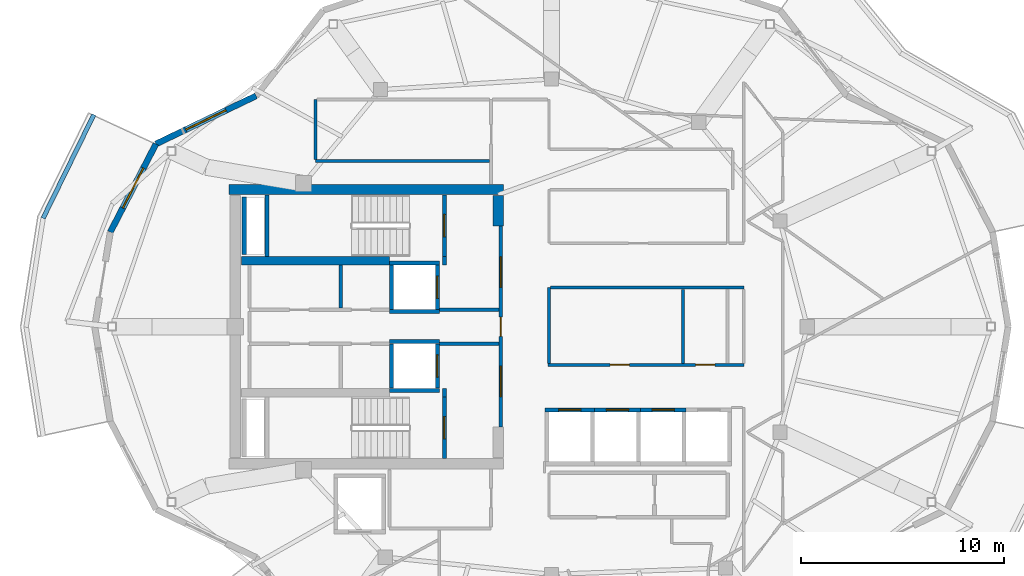
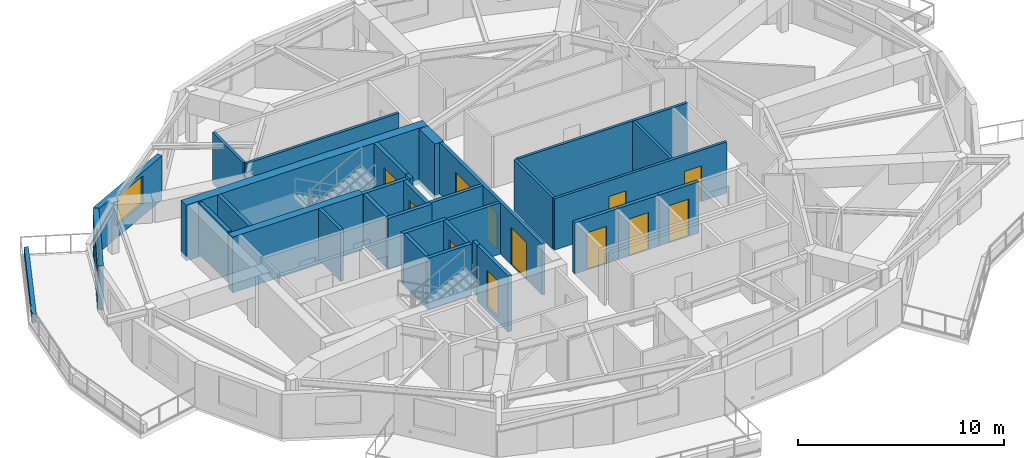
# One storey, part 5 of 11: 33 walls, 12 doors, 2 windows, 14 openings.
"""IFC4 building model written with IfcOpenShell, lengths in metres."""

from ifc_helpers import new_model, si_unit, direction, frame, frame_2d, origin, place, context, subcontext, project, spatial, rectangle, extrude, material, layer, layer_set, type_object, element, fill, save


model = new_model("IFC4")

# Units and contexts
model_context = context("Model", 3, precision=1e-05, world=origin(), true_north=direction((0.0, 1.0)))
body_context = subcontext(model_context, "Body", "Model", "MODEL_VIEW")
ifc_project = project(units=[si_unit("LENGTHUNIT", "METRE"), si_unit("AREAUNIT", "SQUARE_METRE"), si_unit("VOLUMEUNIT", "CUBIC_METRE"), si_unit("PLANEANGLEUNIT", "RADIAN"), si_unit("MASSUNIT", "GRAM", prefix="KILO")], contexts=[model_context])

# Site, building, storey
site_placement = place(None, origin())
site = spatial("IfcSite", under=ifc_project, at=site_placement, CompositionType="ELEMENT")
building_placement = place(site_placement, origin())
building = spatial("IfcBuilding", under=site, at=building_placement, Name="Kolvaren Gate Tower and Convention Centre", CompositionType="ELEMENT")
storey_placement = place(building_placement, frame((0.0, 0.0, 255.800048828125)))
storey = spatial("IfcBuildingStorey", under=building, at=storey_placement, Name="L69", CompositionType="ELEMENT", Elevation=255.800048828125)

# Walls
ifc_material_1 = material(Name="Autoclaved Aerated Masonry Blockwork Class 4 (4.0 MPa)", Category="masonry")
ifc_layer_1 = layer(ifc_material_1, 0.179931640625)
ifc_layer_set_1 = layer_set([ifc_layer_1], Name="Autoclaved Aerated Masonry Blockwork Class 4 (4.0 MPa)")
wall_type_1 = type_object("IfcWallType", Name="ARCH-WL-COMP-180", PredefinedType="SOLIDWALL", material=ifc_layer_set_1)
for number, where, z_axis, x_axis, name in (
    (1, (24.85009765625, 23.5400390625, 0.0), (0.0, 0.0, 1.0), (0.0, 1.0, 0.0), "Interior Partition WL-L69-INT-001"),
    (2, (24.85009765625, 30.0400390625, 0.0), (0.0, 0.0, 1.0), (0.0, 1.0, 0.0), "Interior Partition WL-L69-INT-002"),
):
    element("IfcWall", number, at=place(storey_placement, frame(where, z_axis=z_axis, x_axis=x_axis)), inside=storey, type_object=wall_type_1, Name=name, PredefinedType="SOLIDWALL", context=body_context, shape_type="SweptSolid", body=[
        extrude(rectangle(XDim=0.419921875, YDim=0.179931640625, at=frame_2d((0.2099609375, 0.0))), origin(), (0.0, 0.0, 1.0), 3.030029296875),
    ])

# Wall, openings, doors
wall_1_placement = place(storey_placement, frame((27.6201171875, 22.050048828125, 0.0), z_axis=(0.0, 0.0, 1.0), x_axis=(0.0, 1.0, 0.0)))
wall_1 = element("IfcWall", 3, at=wall_1_placement, inside=storey, type_object=wall_type_1, Name="Interior Partition WL-L69-INT-003", PredefinedType="SOLIDWALL", context=body_context, shape_type="SweptSolid", body=[
    extrude(rectangle(XDim=9.89990234375, YDim=0.179931640625, at=frame_2d((4.949951171875, 0.0))), origin(), (0.0, 0.0, 1.0), 3.030029296875),
])
opening_1_placement = place(wall_1_placement, frame((4.47509765625, 0.0, 0.0)))
opening_1 = element("IfcOpeningElement", 4, at=opening_1_placement, cuts=wall_1, Name="Opening DR-01", PredefinedType="OPENING", context=body_context, shape_type="SweptSolid", body=[
    extrude(rectangle(XDim=0.949951171875, YDim=2.10009765625, at=frame_2d((0.47509765625, 1.050048828125))), frame((0.0, 0.099853515625, 0.0), z_axis=(0.0, -1.0, 0.0), x_axis=(1.0, 0.0, 0.0)), (0.0, 0.0, 1.0), 0.199951171875),
])
opening_2_placement = place(wall_1_placement, frame((6.889892578125, 0.0, 0.0)))
opening_2 = element("IfcOpeningElement", 5, at=opening_2_placement, cuts=wall_1, Name="Opening DL-01", PredefinedType="OPENING", context=body_context, shape_type="SweptSolid", body=[
    extrude(rectangle(XDim=1.5, YDim=2.199951171875, at=frame_2d((0.75, 1.10009765625))), frame((0.0, 0.099853515625, 0.0), z_axis=(0.0, -1.0, 0.0), x_axis=(1.0, 0.0, 0.0)), (0.0, 0.0, 1.0), 0.199951171875),
])
opening_3_placement = place(wall_1_placement, frame((1.510009765625, 0.0, 0.0)))
opening_3 = element("IfcOpeningElement", 6, at=opening_3_placement, cuts=wall_1, Name="Opening DL-01", PredefinedType="OPENING", context=body_context, shape_type="SweptSolid", body=[
    extrude(rectangle(XDim=1.5, YDim=2.199951171875, at=frame_2d((0.75, 1.10009765625))), frame((0.0, 0.099853515625, 0.0), z_axis=(0.0, -1.0, 0.0), x_axis=(1.0, 0.0, 0.0)), (0.0, 0.0, 1.0), 0.199951171875),
])
ifc_material_2 = material(Name="Painted Architectural Steelwork ASTM A500 Grade C 345 MPa", Category="steel")
door_type_1 = type_object("IfcDoorType", Name="ARCH-DR-LOBBY-1500", OperationType="DOUBLE_DOOR_SINGLE_SWING", PredefinedType="DOOR", material=ifc_material_2)
door_1_placement = place(opening_2_placement, origin())
door_1 = element("IfcDoor", 7, at=door_1_placement, inside=storey, type_object=door_type_1, Name="North Firefighting Stair and Lift Lobby Door", OperationType="DOUBLE_DOOR_SINGLE_SWING", OverallHeight=2.199951171875, OverallWidth=1.5, PredefinedType="DOOR", context=body_context, shape_type="SweptSolid", body=[
    extrude(rectangle(XDim=1.5, YDim=2.199951171875, at=frame_2d((0.75, 1.10009765625))), frame((0.0, 0.02490234375, 0.0), z_axis=(0.0, -1.0, 0.0), x_axis=(1.0, 0.0, 0.0)), (0.0, 0.0, 1.0), 0.050048828125),
])
fill(opening_2, door_1)
door_2_placement = place(opening_3_placement, origin())
door_2 = element("IfcDoor", 8, at=door_2_placement, inside=storey, type_object=door_type_1, Name="South Firefighting Stair and Lift Lobby Door", OperationType="DOUBLE_DOOR_SINGLE_SWING", OverallHeight=2.199951171875, OverallWidth=1.5, PredefinedType="DOOR", context=body_context, shape_type="SweptSolid", body=[
    extrude(rectangle(XDim=1.5, YDim=2.199951171875, at=frame_2d((0.75, 1.10009765625))), frame((0.0, 0.02490234375, 0.0), z_axis=(0.0, -1.0, 0.0), x_axis=(1.0, 0.0, 0.0)), (0.0, 0.0, 1.0), 0.050048828125),
])
fill(opening_3, door_2)
door_type_2 = type_object("IfcDoorType", Name="ARCH-DR-RISER-950", OperationType="SINGLE_SWING_RIGHT", PredefinedType="DOOR", material=ifc_material_2)
door_3_placement = place(opening_1_placement, origin())
door_3 = element("IfcDoor", 9, at=door_3_placement, inside=storey, type_object=door_type_2, Name="Central MEP Service Corridor Door", OperationType="SINGLE_SWING_LEFT", OverallHeight=2.10009765625, OverallWidth=0.949951171875, PredefinedType="DOOR", context=body_context, shape_type="SweptSolid", body=[
    extrude(rectangle(XDim=0.949951171875, YDim=2.10009765625, at=frame_2d((0.47509765625, 1.050048828125))), frame((0.0, 0.02490234375, 0.0), z_axis=(0.0, -1.0, 0.0), x_axis=(1.0, 0.0, 0.0)), (0.0, 0.0, 1.0), 0.050048828125),
])
fill(opening_1, door_3)

# Walls
for number, where, z_axis, x_axis, name in (
    (10, (24.60009765625, 27.840087890625, 0.0), (0.0, 0.0, 1.0), (1.0, 0.0, 0.0), "Interior Partition WL-L69-INT-004 (2)"),
    (11, (24.60009765625, 26.159912109375, 0.0), (0.0, 0.0, 1.0), (1.0, 0.0, 0.0), "Interior Partition WL-L69-INT-005 (2)"),
):
    element("IfcWall", number, at=place(storey_placement, frame(where, z_axis=z_axis, x_axis=x_axis)), inside=storey, type_object=wall_type_1, Name=name, PredefinedType="SOLIDWALL", context=body_context, shape_type="SweptSolid", body=[
        extrude(rectangle(XDim=2.927978515625, YDim=0.179931640625, at=frame_2d((1.4638671875, 0.0))), origin(), (0.0, 0.0, 1.0), 3.030029296875),
    ])
wall_2_placement = place(storey_placement, frame((19.75, 27.931884765625, 0.0), z_axis=(0.0, 0.0, 1.0), x_axis=(0.0, 1.0, 0.0)))
element("IfcWall", 12, at=wall_2_placement, inside=storey, type_object=wall_type_1, Name="Interior Partition WL-L69-INT-008", PredefinedType="SOLIDWALL", context=body_context, shape_type="SweptSolid", body=[
    extrude(rectangle(XDim=2.106201171875, YDim=0.179931640625, at=frame_2d((1.05322265625, 0.0))), origin(), (0.0, 0.0, 1.0), 3.030029296875),
])
ifc_material_3 = material(Name="Piedmont Cream Honed Limestone Cladding", Category="masonry")
ifc_layer_2 = layer(ifc_material_3, 0.219970703125)
ifc_layer_set_2 = layer_set([ifc_layer_2], Name="Piedmont Cream Honed Limestone Cladding")
wall_type_2 = type_object("IfcWallType", Name="ARCH-WL-PLANTER-220", PredefinedType="PARAPET", material=ifc_layer_set_2)
wall_3_placement = place(storey_placement, frame((5.078857421875, 32.337646484375, 0.0), z_axis=(0.0, 0.0, 1.0), x_axis=(0.440058847499, 0.897968936399, 0.0)))
element("IfcWall", 13, at=wall_3_placement, inside=storey, type_object=wall_type_2, Name="Vertical-Forest Balcony Stone Planter Kerb PK-L69-2.1", PredefinedType="PARAPET", context=body_context, shape_type="SweptSolid", body=[
    extrude(rectangle(XDim=5.689453125, YDim=0.219970703125, at=frame_2d((2.8447265625, 0.0))), origin(), (0.0, 0.0, 1.0), 0.52001953125),
])
ifc_layer_3 = layer(ifc_material_1, 0.199951171875)
ifc_layer_set_3 = layer_set([ifc_layer_3], Name="Autoclaved Aerated Masonry Blockwork Class 4 (4.0 MPa)")
wall_type_3 = type_object("IfcWallType", Name="ARCH-WL-SHAFT-200", PredefinedType="SOLIDWALL", material=ifc_layer_set_3)
for number, where, z_axis, x_axis, name in (
    (14, (22.14990234375, 30.139892578125, 0.0), (0.0, 0.0, 1.0), (1.0, 0.0, 0.0), "Elevator FF-01 L69 Fire Shaft Wall N"),
    (15, (22.14990234375, 27.739990234375, 0.0), (0.0, 0.0, 1.0), (1.0, 0.0, 0.0), "Elevator FF-01 L69 Fire Shaft Wall S"),
):
    element("IfcWall", number, at=place(storey_placement, frame(where, z_axis=z_axis, x_axis=x_axis)), inside=storey, type_object=wall_type_3, Name=name, PredefinedType="SOLIDWALL", context=body_context, shape_type="SweptSolid", body=[
        extrude(rectangle(XDim=2.4501953125, YDim=0.199951171875, at=frame_2d((1.22509765625, 0.0))), origin(), (0.0, 0.0, 1.0), 3.030029296875),
    ])
wall_4_placement = place(storey_placement, frame((22.25, 27.85009765625, 0.0), z_axis=(0.0, 0.0, 1.0), x_axis=(0.0, 1.0, 0.0)))
element("IfcWall", 16, at=wall_4_placement, inside=storey, type_object=wall_type_3, Name="Elevator FF-01 L69 Fire Shaft Wall W", PredefinedType="SOLIDWALL", context=body_context, shape_type="SweptSolid", body=[
    extrude(rectangle(XDim=2.179931640625, YDim=0.199951171875, at=frame_2d((1.08984375, 0.0))), origin(), (0.0, 0.0, 1.0), 3.030029296875),
])

# Wall, opening, door
wall_5_placement = place(storey_placement, frame((24.5, 27.85009765625, 0.0), z_axis=(0.0, 0.0, 1.0), x_axis=(0.0, 1.0, 0.0)))
wall_5 = element("IfcWall", 17, at=wall_5_placement, inside=storey, type_object=wall_type_3, Name="Elevator FF-01 L69 Fire Shaft Wall E", PredefinedType="SOLIDWALL", context=body_context, shape_type="SweptSolid", body=[
    extrude(rectangle(XDim=2.179931640625, YDim=0.199951171875, at=frame_2d((1.08984375, 0.0))), origin(), (0.0, 0.0, 1.0), 3.030029296875),
])
opening_4_placement = place(wall_5_placement, frame((0.5400390625, 0.0, 0.0)))
opening_4 = element("IfcOpeningElement", 18, at=opening_4_placement, cuts=wall_5, Name="Opening LD", PredefinedType="OPENING", context=body_context, shape_type="SweptSolid", body=[
    extrude(rectangle(XDim=1.10009765625, YDim=2.199951171875, at=frame_2d((0.550048828125, 1.10009765625))), frame((0.0, 0.10986328125, 0.0), z_axis=(0.0, -1.0, 0.0), x_axis=(1.0, 0.0, 0.0)), (0.0, 0.0, 1.0), 0.219970703125),
])
ifc_material_4 = material(Name="Brushed Stainless Steel Grade 316L", Category="steel")
door_type_3 = type_object("IfcDoorType", Name="ARCH-DR-LIFT-1100", OperationType="SLIDING_TO_LEFT", PredefinedType="DOOR", material=ifc_material_4)
door_4_placement = place(opening_4_placement, origin())
door_4 = element("IfcDoor", 19, at=door_4_placement, inside=storey, type_object=door_type_3, Name="Elevator FF-01 L69 Sliding Landing Door", OperationType="SLIDING_TO_LEFT", OverallHeight=2.199951171875, OverallWidth=1.10009765625, PredefinedType="DOOR", context=body_context, shape_type="SweptSolid", body=[
    extrude(rectangle(XDim=1.10009765625, YDim=2.199951171875, at=frame_2d((0.550048828125, 1.10009765625))), frame((0.0, 0.02490234375, 0.0), z_axis=(0.0, -1.0, 0.0), x_axis=(1.0, 0.0, 0.0)), (0.0, 0.0, 1.0), 0.050048828125),
])
fill(opening_4, door_4)

# Walls
for number, where, z_axis, x_axis, name in (
    (20, (22.14990234375, 26.260009765625, 0.0), (0.0, 0.0, 1.0), (1.0, 0.0, 0.0), "Elevator FF-02 L69 Fire Shaft Wall N"),
    (21, (22.14990234375, 23.860107421875, 0.0), (0.0, 0.0, 1.0), (1.0, 0.0, 0.0), "Elevator FF-02 L69 Fire Shaft Wall S"),
):
    element("IfcWall", number, at=place(storey_placement, frame(where, z_axis=z_axis, x_axis=x_axis)), inside=storey, type_object=wall_type_3, Name=name, PredefinedType="SOLIDWALL", context=body_context, shape_type="SweptSolid", body=[
        extrude(rectangle(XDim=2.4501953125, YDim=0.199951171875, at=frame_2d((1.22509765625, 0.0))), origin(), (0.0, 0.0, 1.0), 3.030029296875),
    ])
wall_6_placement = place(storey_placement, frame((22.25, 23.969970703125, 0.0), z_axis=(0.0, 0.0, 1.0), x_axis=(0.0, 1.0, 0.0)))
element("IfcWall", 22, at=wall_6_placement, inside=storey, type_object=wall_type_3, Name="Elevator FF-02 L69 Fire Shaft Wall W", PredefinedType="SOLIDWALL", context=body_context, shape_type="SweptSolid", body=[
    extrude(rectangle(XDim=2.179931640625, YDim=0.199951171875, at=frame_2d((1.08984375, 0.0))), origin(), (0.0, 0.0, 1.0), 3.030029296875),
])

# Wall, opening, door
wall_7_placement = place(storey_placement, frame((24.5, 23.969970703125, 0.0), z_axis=(0.0, 0.0, 1.0), x_axis=(0.0, 1.0, 0.0)))
wall_7 = element("IfcWall", 23, at=wall_7_placement, inside=storey, type_object=wall_type_3, Name="Elevator FF-02 L69 Fire Shaft Wall E", PredefinedType="SOLIDWALL", context=body_context, shape_type="SweptSolid", body=[
    extrude(rectangle(XDim=2.179931640625, YDim=0.199951171875, at=frame_2d((1.08984375, 0.0))), origin(), (0.0, 0.0, 1.0), 3.030029296875),
])
opening_5_placement = place(wall_7_placement, frame((0.5400390625, 0.0, 0.0)))
opening_5 = element("IfcOpeningElement", 24, at=opening_5_placement, cuts=wall_7, Name="Opening LD", PredefinedType="OPENING", context=body_context, shape_type="SweptSolid", body=[
    extrude(rectangle(XDim=1.10009765625, YDim=2.199951171875, at=frame_2d((0.550048828125, 1.10009765625))), frame((0.0, 0.10986328125, 0.0), z_axis=(0.0, -1.0, 0.0), x_axis=(1.0, 0.0, 0.0)), (0.0, 0.0, 1.0), 0.219970703125),
])
door_5_placement = place(opening_5_placement, origin())
door_5 = element("IfcDoor", 25, at=door_5_placement, inside=storey, type_object=door_type_3, Name="Elevator FF-02 L69 Sliding Landing Door", OperationType="SLIDING_TO_LEFT", OverallHeight=2.199951171875, OverallWidth=1.10009765625, PredefinedType="DOOR", context=body_context, shape_type="SweptSolid", body=[
    extrude(rectangle(XDim=1.10009765625, YDim=2.199951171875, at=frame_2d((0.550048828125, 1.10009765625))), frame((0.0, 0.02490234375, 0.0), z_axis=(0.0, -1.0, 0.0), x_axis=(1.0, 0.0, 0.0)), (0.0, 0.0, 1.0), 0.050048828125),
])
fill(opening_5, door_5)

wall_8_placement = place(storey_placement, frame((29.800048828125, 22.89990234375, 0.0), z_axis=(0.0, 0.0, 1.0), x_axis=(1.0, 0.0, 0.0)))
wall_8 = element("IfcWall", 26, at=wall_8_placement, inside=storey, type_object=wall_type_3, Name="Elevator PL-09 L69 Fire Shaft Wall N", PredefinedType="SOLIDWALL", context=body_context, shape_type="SweptSolid", body=[
    extrude(rectangle(XDim=2.449951171875, YDim=0.199951171875, at=frame_2d((1.22509765625, 0.0))), origin(), (0.0, 0.0, 1.0), 3.030029296875),
])
opening_6_placement = place(wall_8_placement, frame((0.675048828125, 0.0, 0.0)))
opening_6 = element("IfcOpeningElement", 27, at=opening_6_placement, cuts=wall_8, Name="Opening LD", PredefinedType="OPENING", context=body_context, shape_type="SweptSolid", body=[
    extrude(rectangle(XDim=1.10009765625, YDim=2.199951171875, at=frame_2d((0.550048828125, 1.10009765625))), frame((0.0, 0.10986328125, 0.0), z_axis=(0.0, -1.0, 0.0), x_axis=(1.0, 0.0, 0.0)), (0.0, 0.0, 1.0), 0.219970703125),
])
door_6_placement = place(opening_6_placement, origin())
door_6 = element("IfcDoor", 28, at=door_6_placement, inside=storey, type_object=door_type_3, Name="Elevator PL-09 L69 Sliding Landing Door", OperationType="SLIDING_TO_LEFT", OverallHeight=2.199951171875, OverallWidth=1.10009765625, PredefinedType="DOOR", context=body_context, shape_type="SweptSolid", body=[
    extrude(rectangle(XDim=1.10009765625, YDim=2.199951171875, at=frame_2d((0.550048828125, 1.10009765625))), frame((0.0, 0.02490234375, 0.0), z_axis=(0.0, -1.0, 0.0), x_axis=(1.0, 0.0, 0.0)), (0.0, 0.0, 1.0), 0.050048828125),
])
fill(opening_6, door_6)

wall_9_placement = place(storey_placement, frame((32.25, 22.89990234375, 0.0), z_axis=(0.0, 0.0, 1.0), x_axis=(1.0, 0.0, 0.0)))
wall_9 = element("IfcWall", 29, at=wall_9_placement, inside=storey, type_object=wall_type_3, Name="Elevator PL-10 L69 Fire Shaft Wall N", PredefinedType="SOLIDWALL", context=body_context, shape_type="SweptSolid", body=[
    extrude(rectangle(XDim=2.25, YDim=0.199951171875, at=frame_2d((1.125, 0.0))), origin(), (0.0, 0.0, 1.0), 3.030029296875),
])
opening_7_placement = place(wall_9_placement, frame((0.574951171875, 0.0, 0.0)))
opening_7 = element("IfcOpeningElement", 30, at=opening_7_placement, cuts=wall_9, Name="Opening LD", PredefinedType="OPENING", context=body_context, shape_type="SweptSolid", body=[
    extrude(rectangle(XDim=1.10009765625, YDim=2.199951171875, at=frame_2d((0.550048828125, 1.10009765625))), frame((0.0, 0.10986328125, 0.0), z_axis=(0.0, -1.0, 0.0), x_axis=(1.0, 0.0, 0.0)), (0.0, 0.0, 1.0), 0.219970703125),
])
door_7_placement = place(opening_7_placement, origin())
door_7 = element("IfcDoor", 31, at=door_7_placement, inside=storey, type_object=door_type_3, Name="Elevator PL-10 L69 Sliding Landing Door", OperationType="SLIDING_TO_LEFT", OverallHeight=2.199951171875, OverallWidth=1.10009765625, PredefinedType="DOOR", context=body_context, shape_type="SweptSolid", body=[
    extrude(rectangle(XDim=1.10009765625, YDim=2.199951171875, at=frame_2d((0.550048828125, 1.10009765625))), frame((0.0, 0.02490234375, 0.0), z_axis=(0.0, -1.0, 0.0), x_axis=(1.0, 0.0, 0.0)), (0.0, 0.0, 1.0), 0.050048828125),
])
fill(opening_7, door_7)

wall_10_placement = place(storey_placement, frame((34.5, 22.89990234375, 0.0), z_axis=(0.0, 0.0, 1.0), x_axis=(1.0, 0.0, 0.0)))
wall_10 = element("IfcWall", 32, at=wall_10_placement, inside=storey, type_object=wall_type_3, Name="Elevator PL-11 L69 Fire Shaft Wall N", PredefinedType="SOLIDWALL", context=body_context, shape_type="SweptSolid", body=[
    extrude(rectangle(XDim=2.25, YDim=0.199951171875, at=frame_2d((1.125, 0.0))), origin(), (0.0, 0.0, 1.0), 3.030029296875),
])
opening_8_placement = place(wall_10_placement, frame((0.574951171875, 0.0, 0.0)))
opening_8 = element("IfcOpeningElement", 33, at=opening_8_placement, cuts=wall_10, Name="Opening LD", PredefinedType="OPENING", context=body_context, shape_type="SweptSolid", body=[
    extrude(rectangle(XDim=1.10009765625, YDim=2.199951171875, at=frame_2d((0.550048828125, 1.10009765625))), frame((0.0, 0.10986328125, 0.0), z_axis=(0.0, -1.0, 0.0), x_axis=(1.0, 0.0, 0.0)), (0.0, 0.0, 1.0), 0.219970703125),
])
door_8_placement = place(opening_8_placement, origin())
door_8 = element("IfcDoor", 34, at=door_8_placement, inside=storey, type_object=door_type_3, Name="Elevator PL-11 L69 Sliding Landing Door", OperationType="SLIDING_TO_LEFT", OverallHeight=2.199951171875, OverallWidth=1.10009765625, PredefinedType="DOOR", context=body_context, shape_type="SweptSolid", body=[
    extrude(rectangle(XDim=1.10009765625, YDim=2.199951171875, at=frame_2d((0.550048828125, 1.10009765625))), frame((0.0, 0.02490234375, 0.0), z_axis=(0.0, -1.0, 0.0), x_axis=(1.0, 0.0, 0.0)), (0.0, 0.0, 1.0), 0.050048828125),
])
fill(opening_8, door_8)

# Wall
wall_11_placement = place(storey_placement, frame((14.989990234375, 30.550048828125, 0.0), z_axis=(0.0, 0.0, 1.0), x_axis=(0.0, 1.0, 0.0)))
element("IfcWall", 35, at=wall_11_placement, inside=storey, type_object=wall_type_3, Name="Vertical Shaft HVR L69 EI-120 Enclosure Wall W", PredefinedType="SOLIDWALL", context=body_context, shape_type="SweptSolid", body=[
    extrude(rectangle(XDim=2.849853515625, YDim=0.199951171875, at=frame_2d((1.4248046875, 0.0))), origin(), (0.0, 0.0, 1.0), 3.030029296875),
])

# Wall, opening, window
ifc_layer_4 = layer(ifc_material_3, 0.300048828125)
ifc_layer_set_4 = layer_set([ifc_layer_4], Name="Piedmont Cream Honed Limestone Cladding")
wall_type_4 = type_object("IfcWallType", Name="ARCH-WL-STONE-300", PredefinedType="SOLIDWALL", material=ifc_layer_set_4)
wall_12_placement = place(storey_placement, frame((10.639404296875, 36.0, 0.0), z_axis=(0.0, 0.0, 1.0), x_axis=(0.901355238351, 0.433080517106, 0.0)))
wall_12 = element("IfcWall", 36, at=wall_12_placement, inside=storey, type_object=wall_type_4, Name="Tower L69 Honed Stone Spandrel Wall EW-09", PredefinedType="SOLIDWALL", context=body_context, shape_type="SweptSolid", body=[
    extrude(rectangle(XDim=5.47314453125, YDim=0.300048828125, at=frame_2d((2.736572265625, 0.0))), origin(), (0.0, 0.0, 1.0), 2.60498046875),
])
opening_9_placement = place(wall_12_placement, frame((1.636962890625, 0.0, 0.719970703125)))
opening_9 = element("IfcOpeningElement", 37, at=opening_9_placement, cuts=wall_12, Name="Opening W-03", PredefinedType="OPENING", context=body_context, shape_type="SweptSolid", body=[
    extrude(rectangle(XDim=2.199951171875, YDim=1.64990234375, at=frame_2d((1.10009765625, 0.824951171875))), frame((0.0, 0.159912109375, 0.0), z_axis=(0.0, -1.0, 0.0), x_axis=(1.0, 0.0, 0.0)), (0.0, 0.0, 1.0), 0.320068359375),
])
ifc_material_5 = material(Name="Low-E Triple Insulated Glazing Unit 44 mm", Category="glass")
window_type = type_object("IfcWindowType", Name="ARCH-WN-RES-2200", PartitioningType="SINGLE_PANEL", PredefinedType="WINDOW", material=ifc_material_5)
window_1_placement = place(opening_9_placement, origin())
window_1 = element("IfcWindow", 38, at=window_1_placement, inside=storey, type_object=window_type, Name="Tower L69 Punched Stone Facade Window W-09", OverallHeight=1.64990234375, OverallWidth=2.199951171875, PartitioningType="SINGLE_PANEL", PredefinedType="WINDOW", context=body_context, shape_type="SweptSolid", body=[
    extrude(rectangle(XDim=2.199951171875, YDim=1.64990234375, at=frame_2d((1.10009765625, 0.824951171875))), frame((0.0, 0.030029296875, 0.0), z_axis=(0.0, -1.0, 0.0), x_axis=(1.0, 0.0, 0.0)), (0.0, 0.0, 1.0), 0.06005859375),
])
fill(opening_9, window_1)

wall_13_placement = place(storey_placement, frame((8.3916015625, 31.65869140625, 0.0), z_axis=(0.0, 0.0, 1.0), x_axis=(0.459793771602, 0.888025724625, 0.0)))
wall_13 = element("IfcWall", 39, at=wall_13_placement, inside=storey, type_object=wall_type_4, Name="Tower L69 Honed Stone Spandrel Wall EW-10", PredefinedType="SOLIDWALL", context=body_context, shape_type="SweptSolid", body=[
    extrude(rectangle(XDim=4.888671875, YDim=0.300048828125, at=frame_2d((2.4443359375, 0.0))), origin(), (0.0, 0.0, 1.0), 2.60498046875),
])
opening_10_placement = place(wall_13_placement, frame((1.343994140625, 0.0, 0.719970703125)))
opening_10 = element("IfcOpeningElement", 40, at=opening_10_placement, cuts=wall_13, Name="Opening W-03", PredefinedType="OPENING", context=body_context, shape_type="SweptSolid", body=[
    extrude(rectangle(XDim=2.199951171875, YDim=1.64990234375, at=frame_2d((1.10009765625, 0.824951171875))), frame((0.0, 0.159912109375, 0.0), z_axis=(0.0, -1.0, 0.0), x_axis=(1.0, 0.0, 0.0)), (0.0, 0.0, 1.0), 0.320068359375),
])
window_2_placement = place(opening_10_placement, origin())
window_2 = element("IfcWindow", 41, at=window_2_placement, inside=storey, type_object=window_type, Name="Tower L69 Punched Stone Facade Window W-10", OverallHeight=1.64990234375, OverallWidth=2.199951171875, PartitioningType="SINGLE_PANEL", PredefinedType="WINDOW", context=body_context, shape_type="SweptSolid", body=[
    extrude(rectangle(XDim=2.199951171875, YDim=1.64990234375, at=frame_2d((1.10009765625, 0.824951171875))), frame((0.0, 0.030029296875, 0.0), z_axis=(0.0, -1.0, 0.0), x_axis=(1.0, 0.0, 0.0)), (0.0, 0.0, 1.0), 0.06005859375),
])
fill(opening_10, window_2)

# Wall, openings, doors
ifc_material_6 = material(Name="Moisture-Resistant Cement-Board Acoustic Partition", Category="gypsum")
ifc_layer_5 = layer(ifc_material_6, 0.14990234375)
ifc_layer_set_5 = layer_set([ifc_layer_5], Name="Moisture-Resistant Cement-Board Acoustic Partition")
wall_type_5 = type_object("IfcWallType", Name="ARCH-WL-WET-150", PredefinedType="PARTITIONING", material=ifc_layer_set_5)
wall_14_placement = place(storey_placement, frame((29.9599609375, 25.1201171875, 0.0), z_axis=(0.0, 0.0, 1.0), x_axis=(1.0, 0.0, 0.0)))
wall_14 = element("IfcWall", 42, at=wall_14_placement, inside=storey, type_object=wall_type_5, Name="Interior Partition WL-L69-INT-014", PredefinedType="PARTITIONING", context=body_context, shape_type="SweptSolid", body=[
    extrude(rectangle(XDim=9.64013671875, YDim=0.14990234375, at=frame_2d((4.820068359375, 0.0))), origin(), (0.0, 0.0, 1.0), 3.030029296875),
])
opening_11_placement = place(wall_14_placement, frame((3.050048828125, 0.0, 0.0)))
opening_11 = element("IfcOpeningElement", 43, at=opening_11_placement, cuts=wall_14, Name="Opening DR-01", PredefinedType="OPENING", context=body_context, shape_type="SweptSolid", body=[
    extrude(rectangle(XDim=0.949951171875, YDim=2.10009765625, at=frame_2d((0.47509765625, 1.050048828125))), frame((0.0, 0.0849609375, 0.0), z_axis=(0.0, -1.0, 0.0), x_axis=(1.0, 0.0, 0.0)), (0.0, 0.0, 1.0), 0.169921875),
])
opening_12_placement = place(wall_14_placement, frame((7.264892578125, 0.0, 0.0)))
opening_12 = element("IfcOpeningElement", 44, at=opening_12_placement, cuts=wall_14, Name="Opening DR-01", PredefinedType="OPENING", context=body_context, shape_type="SweptSolid", body=[
    extrude(rectangle(XDim=0.949951171875, YDim=2.10009765625, at=frame_2d((0.47509765625, 1.050048828125))), frame((0.0, 0.0849609375, 0.0), z_axis=(0.0, -1.0, 0.0), x_axis=(1.0, 0.0, 0.0)), (0.0, 0.0, 1.0), 0.169921875),
])
door_9_placement = place(opening_11_placement, origin())
door_9 = element("IfcDoor", 45, at=door_9_placement, inside=storey, type_object=door_type_2, Name="Accessible Universal Washroom Door", OperationType="SINGLE_SWING_LEFT", OverallHeight=2.10009765625, OverallWidth=0.949951171875, PredefinedType="DOOR", context=body_context, shape_type="SweptSolid", body=[
    extrude(rectangle(XDim=0.949951171875, YDim=2.10009765625, at=frame_2d((0.47509765625, 1.050048828125))), frame((0.0, 0.02490234375, 0.0), z_axis=(0.0, -1.0, 0.0), x_axis=(1.0, 0.0, 0.0)), (0.0, 0.0, 1.0), 0.050048828125),
])
fill(opening_11, door_9)
door_10_placement = place(opening_12_placement, origin())
door_10 = element("IfcDoor", 46, at=door_10_placement, inside=storey, type_object=door_type_2, Name="Floor Janitor and Supply Store Door", OperationType="SINGLE_SWING_RIGHT", OverallHeight=2.10009765625, OverallWidth=0.949951171875, PredefinedType="DOOR", context=body_context, shape_type="SweptSolid", body=[
    extrude(rectangle(XDim=0.949951171875, YDim=2.10009765625, at=frame_2d((0.47509765625, 1.050048828125))), frame((0.0, 0.02490234375, 0.0), z_axis=(0.0, -1.0, 0.0), x_axis=(1.0, 0.0, 0.0)), (0.0, 0.0, 1.0), 0.050048828125),
])
fill(opening_12, door_10)

# Walls
wall_15_placement = place(storey_placement, frame((30.0, 25.197021484375, 0.0), z_axis=(0.0, 0.0, 1.0), x_axis=(0.0, 1.0, 0.0)))
element("IfcWall", 47, at=wall_15_placement, inside=storey, type_object=wall_type_5, Name="Interior Partition WL-L69-INT-016", PredefinedType="PARTITIONING", context=body_context, shape_type="SweptSolid", body=[
    extrude(rectangle(XDim=3.722900390625, YDim=0.14990234375, at=frame_2d((1.861328125, 0.0))), origin(), (0.0, 0.0, 1.0), 3.030029296875),
])
wall_16_placement = place(storey_placement, frame((30.076904296875, 28.919921875, 0.0), z_axis=(0.0, 0.0, 1.0), x_axis=(1.0, 0.0, 0.0)))
element("IfcWall", 48, at=wall_16_placement, inside=storey, type_object=wall_type_5, Name="Interior Partition WL-L69-INT-019", PredefinedType="PARTITIONING", context=body_context, shape_type="SweptSolid", body=[
    extrude(rectangle(XDim=9.523193359375, YDim=0.14990234375, at=frame_2d((4.76171875, 0.0))), origin(), (0.0, 0.0, 1.0), 3.030029296875),
])
wall_17_placement = place(storey_placement, frame((36.60009765625, 25.197021484375, 0.0), z_axis=(0.0, 0.0, 1.0), x_axis=(0.0, 1.0, 0.0)))
element("IfcWall", 49, at=wall_17_placement, inside=storey, type_object=wall_type_5, Name="Interior Partition WL-L69-INT-020", PredefinedType="PARTITIONING", context=body_context, shape_type="SweptSolid", body=[
    extrude(rectangle(XDim=3.64599609375, YDim=0.14990234375, at=frame_2d((1.822998046875, 0.0))), origin(), (0.0, 0.0, 1.0), 3.030029296875),
])
wall_18_placement = place(storey_placement, frame((18.5, 35.159912109375, 0.0), z_axis=(0.0, 0.0, 1.0), x_axis=(1.0, 0.0, 0.0)))
element("IfcWall", 50, at=wall_18_placement, inside=storey, type_object=wall_type_5, Name="Interior Partition WL-L69-INT-029", PredefinedType="PARTITIONING", context=body_context, shape_type="SweptSolid", body=[
    extrude(rectangle(XDim=8.572998046875, YDim=0.14990234375, at=frame_2d((4.28662109375, 0.0))), origin(), (0.0, 0.0, 1.0), 3.030029296875),
])
wall_19_placement = place(storey_placement, frame((18.5, 35.237060546875, 0.0), z_axis=(0.0, 0.0, 1.0), x_axis=(0.0, 1.0, 0.0)))
element("IfcWall", 51, at=wall_19_placement, inside=storey, type_object=wall_type_5, Name="Interior Partition WL-L69-INT-030", PredefinedType="PARTITIONING", context=body_context, shape_type="SweptSolid", body=[
    extrude(rectangle(XDim=2.962890625, YDim=0.14990234375, at=frame_2d((1.4814453125, 0.0))), origin(), (0.0, 0.0, 1.0), 3.030029296875),
])
ifc_material_7 = material(Name="Concrete C50/60", Category="concrete")
ifc_layer_6 = layer(ifc_material_7, 0.419921875)
ifc_layer_set_6 = layer_set([ifc_layer_6], Name="Concrete C50/60")
wall_type_6 = type_object("IfcWallType", Name="STR-WL-CONV-420", PredefinedType="SHEAR", material=ifc_layer_set_6)
wall_20_placement = place(storey_placement, frame((14.85009765625, 30.25, -0.27001953125), z_axis=(0.0, 0.0, 1.0), x_axis=(1.0, 0.0, 0.0)))
element("IfcWall", 52, at=wall_20_placement, inside=storey, type_object=wall_type_6, Name="Tower L69 Offset Core Shear Wall WN", PredefinedType="SHEAR", context=body_context, shape_type="SweptSolid", body=[
    extrude(rectangle(XDim=7.2998046875, YDim=0.419921875, at=frame_2d((3.64990234375, 0.0))), origin(), (0.0, 0.0, 1.0), 3.300048828125),
])
ifc_layer_7 = layer(ifc_material_7, 0.5)
ifc_layer_set_7 = layer_set([ifc_layer_7], Name="Concrete C50/60")
wall_type_7 = type_object("IfcWallType", Name="STR-WL-CORE-500", PredefinedType="SHEAR", material=ifc_layer_set_7)
wall_21_placement = place(storey_placement, frame((14.25, 33.75, -0.27001953125), z_axis=(0.0, 0.0, 1.0), x_axis=(1.0, 0.0, 0.0)))
element("IfcWall", 53, at=wall_21_placement, inside=storey, type_object=wall_type_7, Name="Tower L69 Offset Core Shear Wall N", PredefinedType="SHEAR", context=body_context, shape_type="SweptSolid", body=[
    extrude(rectangle(XDim=13.5, YDim=0.5, at=frame_2d((6.75, 0.0))), origin(), (0.0, 0.0, 1.0), 3.300048828125),
])
wall_22_placement = place(storey_placement, frame((27.5, 31.949951171875, -0.27001953125), z_axis=(0.0, 0.0, 1.0), x_axis=(0.0, 1.0, 0.0)))
element("IfcWall", 54, at=wall_22_placement, inside=storey, type_object=wall_type_7, Name="Tower L69 Offset Core Shear Wall EN", PredefinedType="SHEAR", context=body_context, shape_type="SweptSolid", body=[
    extrude(rectangle(XDim=1.5, YDim=0.5, at=frame_2d((0.75, 0.0))), origin(), (0.0, 0.0, 1.0), 3.300048828125),
])

# Wall, opening, door
ifc_layer_8 = layer(ifc_material_7, 0.199951171875)
ifc_layer_set_8 = layer_set([ifc_layer_8], Name="Concrete C50/60")
wall_type_8 = type_object("IfcWallType", Name="STR-WL-SHAFT-200", PredefinedType="SHEAR", material=ifc_layer_set_8)
wall_23_placement = place(storey_placement, frame((24.85009765625, 30.4599609375, -0.27001953125), z_axis=(0.0, 0.0, 1.0), x_axis=(0.0, 1.0, 0.0)))
wall_23 = element("IfcWall", 55, at=wall_23_placement, inside=storey, type_object=wall_type_8, Name="Tower North Exit Stair ST-T1 L69 Structural Shear Enclosure Wall NEAR", PredefinedType="SHEAR", context=body_context, shape_type="SweptSolid", body=[
    extrude(rectangle(XDim=3.0380859375, YDim=0.199951171875, at=frame_2d((1.51904296875, 0.0))), origin(), (0.0, 0.0, 1.0), 3.300048828125),
])
opening_13_placement = place(wall_23_placement, frame((0.968994140625, 0.0, 0.27001953125)))
opening_13 = element("IfcOpeningElement", 56, at=opening_13_placement, cuts=wall_23, Name="Opening DS-01", PredefinedType="OPENING", context=body_context, shape_type="SweptSolid", body=[
    extrude(rectangle(XDim=1.10009765625, YDim=2.14990234375, at=frame_2d((0.550048828125, 1.074951171875))), frame((0.0, 0.10986328125, 0.0), z_axis=(0.0, -1.0, 0.0), x_axis=(1.0, 0.0, 0.0)), (0.0, 0.0, 1.0), 0.219970703125),
])
door_type_4 = type_object("IfcDoorType", Name="ARCH-DR-STAIR-1100", OperationType="SINGLE_SWING_LEFT", PredefinedType="DOOR", material=ifc_material_2)
door_11_placement = place(opening_13_placement, origin())
door_11 = element("IfcDoor", 57, at=door_11_placement, inside=storey, type_object=door_type_4, Name="Tower North Exit Stair ST-T1 L69 Fire Exit Stair Door", OperationType="SINGLE_SWING_LEFT", OverallHeight=2.14990234375, OverallWidth=1.10009765625, PredefinedType="DOOR", context=body_context, shape_type="SweptSolid", body=[
    extrude(rectangle(XDim=1.10009765625, YDim=2.14990234375, at=frame_2d((0.550048828125, 1.074951171875))), frame((0.0, 0.02490234375, 0.0), z_axis=(0.0, -1.0, 0.0), x_axis=(1.0, 0.0, 0.0)), (0.0, 0.0, 1.0), 0.050048828125),
])
fill(opening_13, door_11)

# Wall
wall_24_placement = place(storey_placement, frame((16.10009765625, 30.4619140625, -0.27001953125), z_axis=(0.0, 0.0, 1.0), x_axis=(0.0, 1.0, 0.0)))
element("IfcWall", 58, at=wall_24_placement, inside=storey, type_object=wall_type_8, Name="Tower North Exit Stair ST-T1 L69 Structural Shear Enclosure Wall FAR", PredefinedType="SHEAR", context=body_context, shape_type="SweptSolid", body=[
    extrude(rectangle(XDim=3.0361328125, YDim=0.199951171875, at=frame_2d((1.51806640625, 0.0))), origin(), (0.0, 0.0, 1.0), 3.300048828125),
])

# Wall, opening, door
wall_25_placement = place(storey_placement, frame((24.85009765625, 20.501953125, -0.27001953125), z_axis=(0.0, 0.0, 1.0), x_axis=(0.0, 1.0, 0.0)))
wall_25 = element("IfcWall", 59, at=wall_25_placement, inside=storey, type_object=wall_type_8, Name="Tower South Exit Stair ST-T2 L69 Structural Shear Enclosure Wall NEAR", PredefinedType="SHEAR", context=body_context, shape_type="SweptSolid", body=[
    extrude(rectangle(XDim=3.0380859375, YDim=0.199951171875, at=frame_2d((1.51904296875, 0.0))), origin(), (0.0, 0.0, 1.0), 3.300048828125),
])
opening_14_placement = place(wall_25_placement, frame((0.968994140625, 0.0, 0.27001953125)))
opening_14 = element("IfcOpeningElement", 60, at=opening_14_placement, cuts=wall_25, Name="Opening DS-01", PredefinedType="OPENING", context=body_context, shape_type="SweptSolid", body=[
    extrude(rectangle(XDim=1.10009765625, YDim=2.14990234375, at=frame_2d((0.550048828125, 1.074951171875))), frame((0.0, 0.10986328125, 0.0), z_axis=(0.0, -1.0, 0.0), x_axis=(1.0, 0.0, 0.0)), (0.0, 0.0, 1.0), 0.219970703125),
])
door_12_placement = place(opening_14_placement, origin())
door_12 = element("IfcDoor", 61, at=door_12_placement, inside=storey, type_object=door_type_4, Name="Tower South Exit Stair ST-T2 L69 Fire Exit Stair Door", OperationType="SINGLE_SWING_LEFT", OverallHeight=2.14990234375, OverallWidth=1.10009765625, PredefinedType="DOOR", context=body_context, shape_type="SweptSolid", body=[
    extrude(rectangle(XDim=1.10009765625, YDim=2.14990234375, at=frame_2d((0.550048828125, 1.074951171875))), frame((0.0, 0.02490234375, 0.0), z_axis=(0.0, -1.0, 0.0), x_axis=(1.0, 0.0, 0.0)), (0.0, 0.0, 1.0), 0.050048828125),
])
fill(opening_14, door_12)

save(model, "model.ifc")
